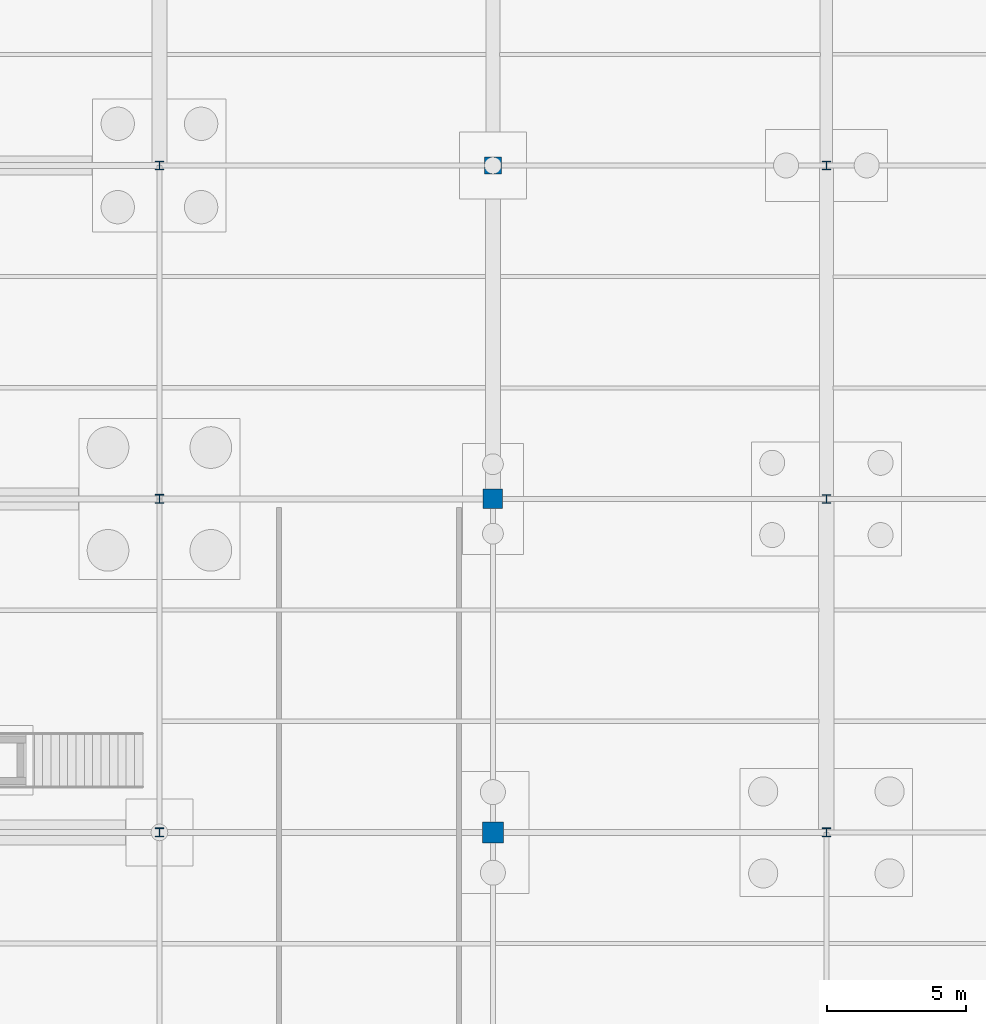
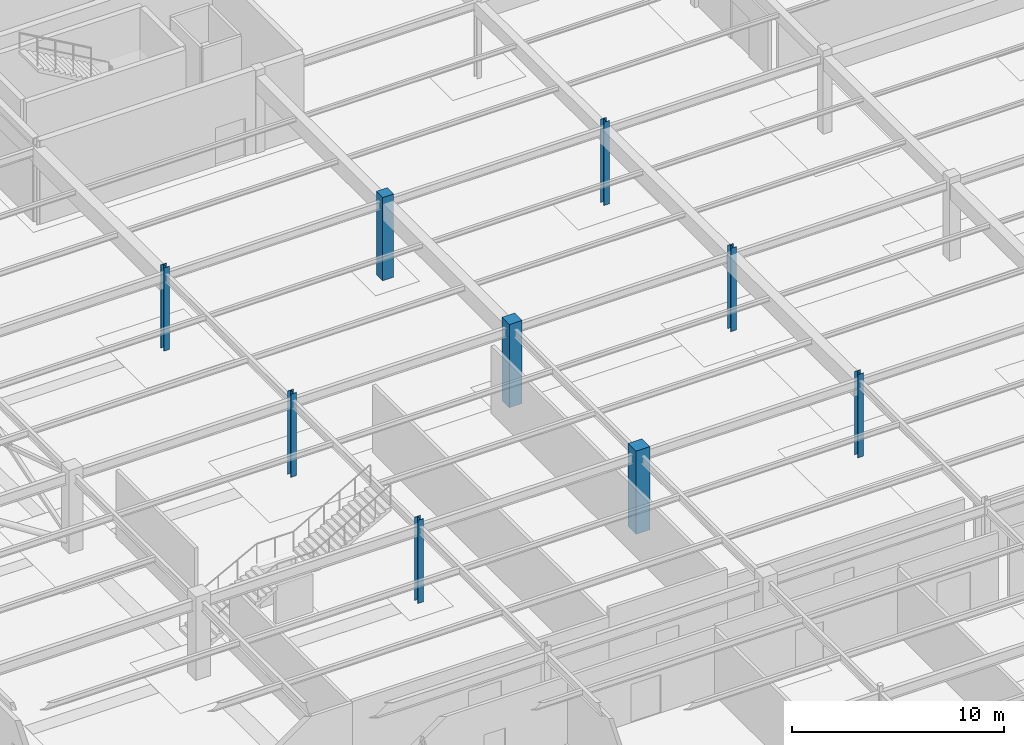
# One storey, part 17 of 136: 9 columns.
"""IFC4 building model written with IfcOpenShell, lengths in metres."""

from ifc_helpers import new_model, si_unit, direction, frame, origin, origin_2d, place, context, subcontext, project, spatial, rectangle, i_section, extrude, material, material_profile, profile_set, type_object, element, save


model = new_model("IFC4")

# Units and contexts
model_context = context("Model", 3, precision=1e-05, world=origin(), true_north=direction((0.0, 1.0)))
body_context = subcontext(model_context, "Body", "Model", "MODEL_VIEW")
ifc_project = project(units=[si_unit("LENGTHUNIT", "METRE"), si_unit("AREAUNIT", "SQUARE_METRE"), si_unit("VOLUMEUNIT", "CUBIC_METRE"), si_unit("PLANEANGLEUNIT", "RADIAN"), si_unit("MASSUNIT", "GRAM", prefix="KILO")], contexts=[model_context])

# Site, building, storey
site_placement = place(None, origin())
site = spatial("IfcSite", under=ifc_project, at=site_placement, CompositionType="ELEMENT")
building_placement = place(site_placement, origin())
building = spatial("IfcBuilding", under=site, at=building_placement, Name="Tarnwether General Hospital", CompositionType="ELEMENT")
storey_placement = place(building_placement, frame((0.0, 0.0, -4.800048828125)))
storey = spatial("IfcBuildingStorey", under=building, at=storey_placement, Name="LG", CompositionType="ELEMENT", Elevation=-4.800048828125)

# Columns
ifc_material_1 = material(Name="Steel Grade 350 (350 MPa)", Category="steel")
ifc_material_profile_1 = material_profile(ifc_material_1, i_section(OverallWidth=0.31103515625, OverallDepth=0.326904296875, WebThickness=0.015625, FlangeThickness=0.02490234375, at=origin_2d()), Name="310UC158")
ifc_profile_set_1 = profile_set([ifc_material_profile_1], Name="Steel Grade 350 (350 MPa)")
column_type_1 = type_object("IfcColumnType", Name="COL-05", PredefinedType="COLUMN", material=ifc_profile_set_1)
column_1_placement = place(storey_placement, frame((24.0, 33.60009765625, 0.0), z_axis=(0.0, 0.0, 1.0), x_axis=(1.0, 0.0, 0.0)))
element("IfcColumn", 1, at=column_1_placement, inside=storey, type_object=column_type_1, Name="Column COLG-LG-2400_3360", PredefinedType="COLUMN", context=body_context, shape_type="SweptSolid", body=[
    extrude(i_section(OverallWidth=0.31103515625, OverallDepth=0.326904296875, WebThickness=0.015625, FlangeThickness=0.02490234375, at=origin_2d()), origin(), (0.0, 0.0, 1.0), 4.800048828125),
])
ifc_material_2 = material(Name="Steel Grade 350 (350 MPa)", Category="steel")
ifc_material_profile_2 = material_profile(ifc_material_2, i_section(OverallWidth=0.30908203125, OverallDepth=0.321044921875, WebThickness=0.013916015625, FlangeThickness=0.021728515625, at=origin_2d()), Name="310UC137")
ifc_profile_set_2 = profile_set([ifc_material_profile_2], Name="Steel Grade 350 (350 MPa)")
column_type_2 = type_object("IfcColumnType", Name="COL-06", PredefinedType="COLUMN", material=ifc_profile_set_2)
for number, where, z_axis, x_axis, name in (
    (2, (24.0, 45.60009765625, 0.0), (0.0, 0.0, 1.0), (1.0, 0.0, 0.0), "Column COLG-LG-2400_4560"),
    (3, (48.0, 33.60009765625, 0.0), (0.0, 0.0, 1.0), (1.0, 0.0, 0.0), "Column COLG-LG-4800_3360"),
):
    element("IfcColumn", number, at=place(storey_placement, frame(where, z_axis=z_axis, x_axis=x_axis)), inside=storey, type_object=column_type_2, Name=name, PredefinedType="COLUMN", context=body_context, shape_type="SweptSolid", body=[
        extrude(i_section(OverallWidth=0.30908203125, OverallDepth=0.321044921875, WebThickness=0.013916015625, FlangeThickness=0.021728515625, at=origin_2d()), origin(), (0.0, 0.0, 1.0), 4.800048828125),
    ])
ifc_material_3 = material(Name="Steel Grade 350 (350 MPa)", Category="steel")
ifc_material_profile_3 = material_profile(ifc_material_3, i_section(OverallWidth=0.306884765625, OverallDepth=0.31494140625, WebThickness=0.011962890625, FlangeThickness=0.018798828125, at=origin_2d()), Name="310UC118")
ifc_profile_set_3 = profile_set([ifc_material_profile_3], Name="Steel Grade 350 (350 MPa)")
column_type_3 = type_object("IfcColumnType", Name="COL-07", PredefinedType="COLUMN", material=ifc_profile_set_3)
for number, where, z_axis, x_axis, name in (
    (4, (24.0, 57.60009765625, 0.0), (0.0, 0.0, 1.0), (1.0, 0.0, 0.0), "Column COLG-LG-2400_5760"),
    (5, (48.0, 45.60009765625, 0.0), (0.0, 0.0, 1.0), (1.0, 0.0, 0.0), "Column COLG-LG-4800_4560"),
):
    element("IfcColumn", number, at=place(storey_placement, frame(where, z_axis=z_axis, x_axis=x_axis)), inside=storey, type_object=column_type_3, Name=name, PredefinedType="COLUMN", context=body_context, shape_type="SweptSolid", body=[
        extrude(i_section(OverallWidth=0.306884765625, OverallDepth=0.31494140625, WebThickness=0.011962890625, FlangeThickness=0.018798828125, at=origin_2d()), origin(), (0.0, 0.0, 1.0), 4.800048828125),
    ])
ifc_material_4 = material(Name="Steel Grade 350 (350 MPa)", Category="steel")
ifc_material_profile_4 = material_profile(ifc_material_4, i_section(OverallWidth=0.304931640625, OverallDepth=0.30810546875, WebThickness=0.010009765625, FlangeThickness=0.015380859375, at=origin_2d()), Name="310UC96.8")
ifc_profile_set_4 = profile_set([ifc_material_profile_4], Name="Steel Grade 350 (350 MPa)")
column_type_4 = type_object("IfcColumnType", Name="COL-08", PredefinedType="COLUMN", material=ifc_profile_set_4)
column_2_placement = place(storey_placement, frame((48.0, 57.60009765625, 0.0), z_axis=(0.0, 0.0, 1.0), x_axis=(1.0, 0.0, 0.0)))
element("IfcColumn", 6, at=column_2_placement, inside=storey, type_object=column_type_4, Name="Column COLG-LG-4800_5760", PredefinedType="COLUMN", context=body_context, shape_type="SweptSolid", body=[
    extrude(i_section(OverallWidth=0.304931640625, OverallDepth=0.30810546875, WebThickness=0.010009765625, FlangeThickness=0.015380859375, at=origin_2d()), origin(), (0.0, 0.0, 1.0), 4.800048828125),
])
ifc_material_5 = material(Name="Concrete 50 MPa", Category="concrete")
ifc_material_profile_5 = material_profile(ifc_material_5, rectangle(XDim=0.75, YDim=0.75, at=origin_2d()), Name="RC-COL-750x750")
ifc_profile_set_5 = profile_set([ifc_material_profile_5], Name="Concrete 50 MPa")
column_type_5 = type_object("IfcColumnType", Name="COL-17", PredefinedType="COLUMN", material=ifc_profile_set_5)
column_3_placement = place(storey_placement, frame((36.0, 33.60009765625, 0.0), z_axis=(0.0, 0.0, 1.0), x_axis=(0.0, 1.0, 0.0)))
element("IfcColumn", 7, at=column_3_placement, inside=storey, type_object=column_type_5, Name="Column COLG-LG-3600_3360", PredefinedType="COLUMN", context=body_context, shape_type="SweptSolid", body=[
    extrude(rectangle(XDim=0.75, YDim=0.75, at=origin_2d()), origin(), (0.0, 0.0, 1.0), 4.800048828125),
])
ifc_material_6 = material(Name="Concrete 50 MPa", Category="concrete")
ifc_material_profile_6 = material_profile(ifc_material_6, rectangle(XDim=0.699951171875, YDim=0.699951171875, at=origin_2d()), Name="RC-COL-700x700")
ifc_profile_set_6 = profile_set([ifc_material_profile_6], Name="Concrete 50 MPa")
column_type_6 = type_object("IfcColumnType", Name="COL-18", PredefinedType="COLUMN", material=ifc_profile_set_6)
column_4_placement = place(storey_placement, frame((36.0, 45.60009765625, 0.0), z_axis=(0.0, 0.0, 1.0), x_axis=(0.0, 1.0, 0.0)))
element("IfcColumn", 8, at=column_4_placement, inside=storey, type_object=column_type_6, Name="Column COLG-LG-3600_4560", PredefinedType="COLUMN", context=body_context, shape_type="SweptSolid", body=[
    extrude(rectangle(XDim=0.699951171875, YDim=0.699951171875, at=origin_2d()), origin(), (0.0, 0.0, 1.0), 4.800048828125),
])
ifc_material_7 = material(Name="Concrete 50 MPa", Category="concrete")
ifc_material_profile_7 = material_profile(ifc_material_7, rectangle(XDim=0.60009765625, YDim=0.60009765625, at=origin_2d()), Name="RC-COL-600x600")
ifc_profile_set_7 = profile_set([ifc_material_profile_7], Name="Concrete 50 MPa")
column_type_7 = type_object("IfcColumnType", Name="COL-19", PredefinedType="COLUMN", material=ifc_profile_set_7)
column_5_placement = place(storey_placement, frame((36.0, 57.60009765625, 0.0), z_axis=(0.0, 0.0, 1.0), x_axis=(0.0, 1.0, 0.0)))
element("IfcColumn", 9, at=column_5_placement, inside=storey, type_object=column_type_7, Name="Column COLG-LG-3600_5760", PredefinedType="COLUMN", context=body_context, shape_type="SweptSolid", body=[
    extrude(rectangle(XDim=0.60009765625, YDim=0.60009765625, at=origin_2d()), origin(), (0.0, 0.0, 1.0), 4.800048828125),
])

save(model, "model.ifc")
